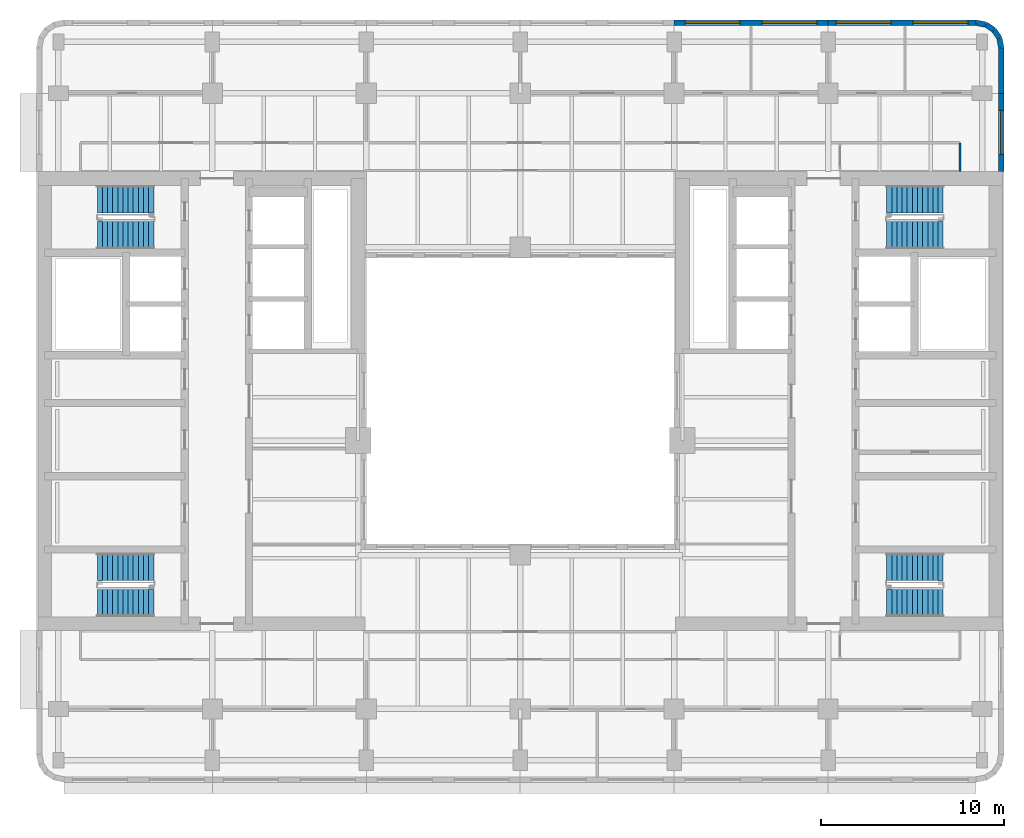
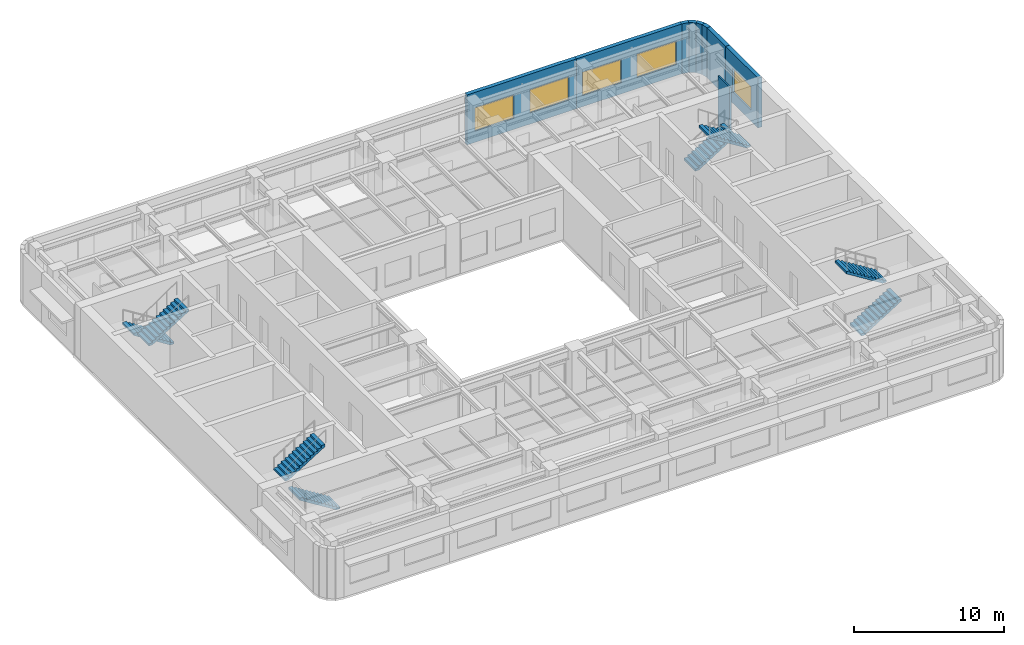
# One storey, part 8 of 11: 9 walls, 8 stair flights, 5 windows, 5 openings, 4 elements without a shape of their own.
"""IFC4 building model written with IfcOpenShell, lengths in metres."""

from ifc_helpers import new_model, si_unit, direction, frame, frame_2d, origin, place, context, subcontext, project, spatial, polyline, rectangle, outline, extrude, material, layer, layer_set, type_object, element, fill, aggregate, save


model = new_model("IFC4")

# Units and contexts
model_context = context("Model", 3, precision=1e-05, world=origin(), true_north=direction((0.0, 1.0)))
body_context = subcontext(model_context, "Body", "Model", "MODEL_VIEW")
ifc_project = project(units=[si_unit("LENGTHUNIT", "METRE"), si_unit("AREAUNIT", "SQUARE_METRE"), si_unit("VOLUMEUNIT", "CUBIC_METRE"), si_unit("PLANEANGLEUNIT", "RADIAN"), si_unit("MASSUNIT", "GRAM", prefix="KILO")], contexts=[model_context])

# Site, building, storey
site_placement = place(None, origin())
site = spatial("IfcSite", under=ifc_project, at=site_placement, CompositionType="ELEMENT")
building_placement = place(site_placement, origin())
building = spatial("IfcBuilding", under=site, at=building_placement, Name="Claustro Exchange Tower", CompositionType="ELEMENT")
storey_placement = place(building_placement, frame((0.0, 0.0, 236.39990234375)))
storey = spatial("IfcBuildingStorey", under=building, at=storey_placement, Name="L54", CompositionType="ELEMENT", Elevation=236.39990234375)

# Wall
ifc_material_1 = material(Name="Laminated glass in aluminium frame", Category="aluminium")
ifc_layer_1 = layer(ifc_material_1, 0.1201171875)
ifc_layer_set_1 = layer_set([ifc_layer_1], Name="Laminated glass in aluminium frame")
wall_type_1 = type_object("IfcWallType", Name="P2 120 glazed partition", PredefinedType="PARTITIONING", material=ifc_layer_set_1)
wall_1_placement = place(storey_placement, frame((49.199951171875, 37.72412109375, 0.0), z_axis=(0.0, 0.0, 1.0), x_axis=(0.0, 1.0, 0.0)))
element("IfcWall", 1, at=wall_1_placement, inside=storey, type_object=wall_type_1, Name="Partition P2 L54", PredefinedType="PARTITIONING", context=body_context, shape_type="SweptSolid", body=[
    extrude(rectangle(XDim=1.575927734375, YDim=0.1201171875, at=frame_2d((0.7880859375, 0.0))), origin(), (0.0, 0.0, 1.0), 4.050048828125),
])

# Wall, openings, windows
ifc_material_2 = material(Name="Concrete HA-40 (C40/50), precast, white cement, acid-etched", Category="concrete")
ifc_layer_2 = layer(ifc_material_2, 0.300048828125)
ifc_layer_set_2 = layer_set([ifc_layer_2], Name="Concrete HA-40 (C40/50), precast, white cement, acid-etched")
wall_type_2 = type_object("IfcWallType", Name="PC1 300 precast concrete pier panel", PredefinedType="SOLIDWALL", material=ifc_layer_set_2)
wall_2_placement = place(storey_placement, frame((33.60009765625, 45.85009765625, 0.0), z_axis=(0.0, 0.0, 1.0), x_axis=(1.0, 0.0, 0.0)))
wall_2 = element("IfcWall", 2, at=wall_2_placement, inside=storey, type_object=wall_type_2, Name="Precast pier panel PC1 L54", PredefinedType="SOLIDWALL", context=body_context, shape_type="SweptSolid", body=[
    extrude(rectangle(XDim=8.39990234375, YDim=0.300048828125, at=frame_2d((4.199951171875, 0.0))), origin(), (0.0, 0.0, 1.0), 4.050048828125),
])
opening_1_placement = place(wall_2_placement, frame((0.60009765625, 0.0, 0.89990234375)))
opening_1 = element("IfcOpeningElement", 3, at=opening_1_placement, cuts=wall_2, Name="Opening W1", PredefinedType="OPENING", context=body_context, shape_type="SweptSolid", body=[
    extrude(rectangle(XDim=3.0, YDim=1.89990234375, at=frame_2d((1.5, 0.949951171875))), frame((0.0, 0.159912109375, 0.0), z_axis=(0.0, -1.0, 0.0), x_axis=(1.0, 0.0, 0.0)), (0.0, 0.0, 1.0), 0.320068359375),
])
opening_2_placement = place(wall_2_placement, frame((4.800048828125, 0.0, 0.89990234375)))
opening_2 = element("IfcOpeningElement", 4, at=opening_2_placement, cuts=wall_2, Name="Opening W1", PredefinedType="OPENING", context=body_context, shape_type="SweptSolid", body=[
    extrude(rectangle(XDim=3.0, YDim=1.89990234375, at=frame_2d((1.5, 0.949951171875))), frame((0.0, 0.159912109375, 0.0), z_axis=(0.0, -1.0, 0.0), x_axis=(1.0, 0.0, 0.0)), (0.0, 0.0, 1.0), 0.320068359375),
])
ifc_material_3 = material(Name="Aluminium frame, clear double glazing", Category="aluminium")
window_type_1 = type_object("IfcWindowType", Name="W1 3000 x 1900 window", PartitioningType="SINGLE_PANEL", PredefinedType="WINDOW", material=ifc_material_3)
window_1_placement = place(opening_1_placement, origin())
window_1 = element("IfcWindow", 5, at=window_1_placement, inside=storey, type_object=window_type_1, Name="Window W1 L54", OverallHeight=1.89990234375, OverallWidth=3.0, PartitioningType="SINGLE_PANEL", PredefinedType="WINDOW", context=body_context, shape_type="SweptSolid", body=[
    extrude(rectangle(XDim=3.0, YDim=1.89990234375, at=frame_2d((1.5, 0.949951171875))), frame((0.0, 0.030029296875, 0.0), z_axis=(0.0, -1.0, 0.0), x_axis=(1.0, 0.0, 0.0)), (0.0, 0.0, 1.0), 0.06005859375),
])
fill(opening_1, window_1)
window_2_placement = place(opening_2_placement, origin())
window_2 = element("IfcWindow", 6, at=window_2_placement, inside=storey, type_object=window_type_1, Name="Window W1 L54", OverallHeight=1.89990234375, OverallWidth=3.0, PartitioningType="SINGLE_PANEL", PredefinedType="WINDOW", context=body_context, shape_type="SweptSolid", body=[
    extrude(rectangle(XDim=3.0, YDim=1.89990234375, at=frame_2d((1.5, 0.949951171875))), frame((0.0, 0.030029296875, 0.0), z_axis=(0.0, -1.0, 0.0), x_axis=(1.0, 0.0, 0.0)), (0.0, 0.0, 1.0), 0.06005859375),
])
fill(opening_2, window_2)

wall_3_placement = place(storey_placement, frame((42.0, 45.85009765625, 0.0), z_axis=(0.0, 0.0, 1.0), x_axis=(1.0, 0.0, 0.0)))
wall_3 = element("IfcWall", 7, at=wall_3_placement, inside=storey, type_object=wall_type_2, Name="Precast pier panel PC1 L54", PredefinedType="SOLIDWALL", context=body_context, shape_type="SweptSolid", body=[
    extrude(rectangle(XDim=8.085205078125, YDim=0.300048828125, at=frame_2d((4.04248046875, 0.0))), origin(), (0.0, 0.0, 1.0), 4.050048828125),
])
opening_3_placement = place(wall_3_placement, frame((0.442626953125, 0.0, 0.89990234375)))
opening_3 = element("IfcOpeningElement", 8, at=opening_3_placement, cuts=wall_3, Name="Opening W1", PredefinedType="OPENING", context=body_context, shape_type="SweptSolid", body=[
    extrude(rectangle(XDim=3.0, YDim=1.89990234375, at=frame_2d((1.5, 0.949951171875))), frame((0.0, 0.159912109375, 0.0), z_axis=(0.0, -1.0, 0.0), x_axis=(1.0, 0.0, 0.0)), (0.0, 0.0, 1.0), 0.320068359375),
])
opening_4_placement = place(wall_3_placement, frame((4.642578125, 0.0, 0.89990234375)))
opening_4 = element("IfcOpeningElement", 9, at=opening_4_placement, cuts=wall_3, Name="Opening W1", PredefinedType="OPENING", context=body_context, shape_type="SweptSolid", body=[
    extrude(rectangle(XDim=3.0, YDim=1.89990234375, at=frame_2d((1.5, 0.949951171875))), frame((0.0, 0.159912109375, 0.0), z_axis=(0.0, -1.0, 0.0), x_axis=(1.0, 0.0, 0.0)), (0.0, 0.0, 1.0), 0.320068359375),
])
window_3_placement = place(opening_3_placement, origin())
window_3 = element("IfcWindow", 10, at=window_3_placement, inside=storey, type_object=window_type_1, Name="Window W1 L54", OverallHeight=1.89990234375, OverallWidth=3.0, PartitioningType="SINGLE_PANEL", PredefinedType="WINDOW", context=body_context, shape_type="SweptSolid", body=[
    extrude(rectangle(XDim=3.0, YDim=1.89990234375, at=frame_2d((1.5, 0.949951171875))), frame((0.0, 0.030029296875, 0.0), z_axis=(0.0, -1.0, 0.0), x_axis=(1.0, 0.0, 0.0)), (0.0, 0.0, 1.0), 0.06005859375),
])
fill(opening_3, window_3)
window_4_placement = place(opening_4_placement, origin())
window_4 = element("IfcWindow", 11, at=window_4_placement, inside=storey, type_object=window_type_1, Name="Window W1 L54", OverallHeight=1.89990234375, OverallWidth=3.0, PartitioningType="SINGLE_PANEL", PredefinedType="WINDOW", context=body_context, shape_type="SweptSolid", body=[
    extrude(rectangle(XDim=3.0, YDim=1.89990234375, at=frame_2d((1.5, 0.949951171875))), frame((0.0, 0.030029296875, 0.0), z_axis=(0.0, -1.0, 0.0), x_axis=(1.0, 0.0, 0.0)), (0.0, 0.0, 1.0), 0.06005859375),
])
fill(opening_4, window_4)

# Walls
wall_4_placement = place(storey_placement, frame((50.085205078125, 45.85009765625, 0.0), z_axis=(0.0, 0.0, 1.0), x_axis=(0.980702050465, -0.1955082817, 0.0)))
element("IfcWall", 12, at=wall_4_placement, inside=storey, type_object=wall_type_2, Name="Precast pier panel PC1 L54", PredefinedType="SOLIDWALL", context=body_context, shape_type="SweptSolid", body=[
    extrude(rectangle(XDim=0.540771484375, YDim=0.300048828125, at=frame_2d((0.2705078125, 0.0))), origin(), (0.0, 0.0, 1.0), 4.050048828125),
])
wall_5_placement = place(storey_placement, frame((50.615478515625, 45.744384765625, 0.0), z_axis=(0.0, 0.0, 1.0), x_axis=(0.831692711774, -0.555236195849, 0.0)))
element("IfcWall", 13, at=wall_5_placement, inside=storey, type_object=wall_type_2, Name="Precast pier panel PC1 L54", PredefinedType="SOLIDWALL", context=body_context, shape_type="SweptSolid", body=[
    extrude(rectangle(XDim=0.525390625, YDim=0.300048828125, at=frame_2d((0.2626953125, 0.0))), origin(), (0.0, 0.0, 1.0), 4.050048828125),
])
wall_6_placement = place(storey_placement, frame((51.052490234375, 45.45263671875, 0.0), z_axis=(0.0, 0.0, 1.0), x_axis=(0.55534295404, -0.831621430339, 0.0)))
element("IfcWall", 14, at=wall_6_placement, inside=storey, type_object=wall_type_2, Name="Precast pier panel PC1 L54", PredefinedType="SOLIDWALL", context=body_context, shape_type="SweptSolid", body=[
    extrude(rectangle(XDim=0.52587890625, YDim=0.300048828125, at=frame_2d((0.262939453125, 0.0))), origin(), (0.0, 0.0, 1.0), 4.050048828125),
])
wall_7_placement = place(storey_placement, frame((51.344482421875, 45.015380859375, 0.0), z_axis=(0.0, 0.0, 1.0), x_axis=(0.195073962632, -0.980788534345, 0.0)))
element("IfcWall", 15, at=wall_7_placement, inside=storey, type_object=wall_type_2, Name="Precast pier panel PC1 L54", PredefinedType="SOLIDWALL", context=body_context, shape_type="SweptSolid", body=[
    extrude(rectangle(XDim=0.540771484375, YDim=0.300048828125, at=frame_2d((0.2705078125, 0.0))), origin(), (0.0, 0.0, 1.0), 4.050048828125),
])
wall_8_placement = place(storey_placement, frame((51.449951171875, 44.485107421875, 0.0), z_axis=(0.0, 0.0, 1.0), x_axis=(0.0, -1.0, 0.0)))
element("IfcWall", 16, at=wall_8_placement, inside=storey, type_object=wall_type_2, Name="Precast pier panel PC1 L54", PredefinedType="SOLIDWALL", context=body_context, shape_type="SweptSolid", body=[
    extrude(rectangle(XDim=2.485107421875, YDim=0.300048828125, at=frame_2d((1.24267578125, 0.0))), origin(), (0.0, 0.0, 1.0), 4.050048828125),
])

# Wall, opening, window
wall_9_placement = place(storey_placement, frame((51.449951171875, 42.0, 0.0), z_axis=(0.0, 0.0, 1.0), x_axis=(0.0, -1.0, 0.0)))
wall_9 = element("IfcWall", 17, at=wall_9_placement, inside=storey, type_object=wall_type_2, Name="Precast pier panel PC1 L54", PredefinedType="SOLIDWALL", context=body_context, shape_type="SweptSolid", body=[
    extrude(rectangle(XDim=4.27490234375, YDim=0.300048828125, at=frame_2d((2.137451171875, 0.0))), origin(), (0.0, 0.0, 1.0), 4.050048828125),
])
opening_5_placement = place(wall_9_placement, frame((0.9375, 0.0, 0.89990234375)))
opening_5 = element("IfcOpeningElement", 18, at=opening_5_placement, cuts=wall_9, Name="Opening W2", PredefinedType="OPENING", context=body_context, shape_type="SweptSolid", body=[
    extrude(rectangle(XDim=2.39990234375, YDim=1.89990234375, at=frame_2d((1.199951171875, 0.949951171875))), frame((0.0, 0.159912109375, 0.0), z_axis=(0.0, -1.0, 0.0), x_axis=(1.0, 0.0, 0.0)), (0.0, 0.0, 1.0), 0.320068359375),
])
ifc_material_4 = material(Name="Aluminium frame, clear double glazing", Category="aluminium")
window_type_2 = type_object("IfcWindowType", Name="W2 2400 x 1900 window", PartitioningType="SINGLE_PANEL", PredefinedType="WINDOW", material=ifc_material_4)
window_5_placement = place(opening_5_placement, origin())
window_5 = element("IfcWindow", 19, at=window_5_placement, inside=storey, type_object=window_type_2, Name="Window W2 L54", OverallHeight=1.89990234375, OverallWidth=2.39990234375, PartitioningType="SINGLE_PANEL", PredefinedType="WINDOW", context=body_context, shape_type="SweptSolid", body=[
    extrude(rectangle(XDim=2.39990234375, YDim=1.89990234375, at=frame_2d((1.199951171875, 0.949951171875))), frame((0.0, 0.030029296875, 0.0), z_axis=(0.0, -1.0, 0.0), x_axis=(1.0, 0.0, 0.0)), (0.0, 0.0, 1.0), 0.06005859375),
])
fill(opening_5, window_5)

# Stair, stair flights
ifc_material_5 = material(Name="Concrete HA-30 (C30/37), precast", Category="concrete")
stair_type = type_object("IfcStairType", Name="ST1 half-turn stair, 24 risers of 175", PredefinedType="HALF_TURN_STAIR", material=ifc_material_5)
stair_1_placement = place(storey_placement, origin())
stair_1 = element("IfcStair", 20, at=stair_1_placement, inside=storey, type_object=stair_type, Name="Stair STWA L54", PredefinedType="HALF_TURN_STAIR")
ifc_material_6 = material(Name="Concrete HA-30 (C30/37), precast", Category="concrete")
stair_flight_type = type_object("IfcStairFlightType", Name="SF12A straight flight, 12 risers of 175, 1500 wide", PredefinedType="STRAIGHT", material=ifc_material_6)
stair_flight_1_placement = place(storey_placement, frame((5.199951171875, 14.175048828125, 0.0), z_axis=(0.0, 0.0, 1.0), x_axis=(-1.0, 0.0, 0.0)))
stair_flight_1 = element("IfcStairFlight", 21, at=stair_flight_1_placement, type_object=stair_flight_type, Name="STWA flight 1", NumberOfRisers=12, NumberOfTreads=11, PredefinedType="STRAIGHT", RiserHeight=0.175, TreadLength=0.28, context=body_context, shape_type="SweptSolid", body=[
    extrude(outline(polyline([(0.0, 0.0), (0.0, 0.175048828125), (0.280029296875, 0.175048828125), (0.280029296875, 0.35009765625), (0.56005859375, 0.35009765625), (0.56005859375, 0.52490234375), (0.840087890625, 0.52490234375), (0.840087890625, 0.699951171875), (1.1201171875, 0.699951171875), (1.1201171875, 0.875), (1.39990234375, 0.875), (1.39990234375, 1.050048828125), (1.679931640625, 1.050048828125), (1.679931640625, 1.22509765625), (1.9599609375, 1.22509765625), (1.9599609375, 1.39990234375), (2.239990234375, 1.39990234375), (2.239990234375, 1.574951171875), (2.52001953125, 1.574951171875), (2.52001953125, 1.75), (2.800048828125, 1.75), (2.800048828125, 1.925048828125), (3.080078125, 1.925048828125), (3.080078125, 2.10009765625), (3.080078125, 1.748291015625), (0.28271484375, 0.0), (0.0, 0.0)])), frame((0.0, 0.75, 0.0), z_axis=(0.0, -1.0, 0.0), x_axis=(1.0, 0.0, 0.0)), (0.0, 0.0, 1.0), 1.5),
])
stair_flight_2_placement = place(storey_placement, frame((2.1201171875, 16.14990234375, 2.10009765625), z_axis=(0.0, 0.0, 1.0), x_axis=(1.0, 0.0, 0.0)))
stair_flight_2 = element("IfcStairFlight", 22, at=stair_flight_2_placement, type_object=stair_flight_type, Name="STWA flight 2", NumberOfRisers=12, NumberOfTreads=11, PredefinedType="STRAIGHT", RiserHeight=0.175, TreadLength=0.28, context=body_context, shape_type="SweptSolid", body=[
    extrude(outline(polyline([(0.0, 0.0), (0.0, 0.175048828125), (0.280029296875, 0.175048828125), (0.280029296875, 0.35009765625), (0.56005859375, 0.35009765625), (0.56005859375, 0.52490234375), (0.840087890625, 0.52490234375), (0.840087890625, 0.699951171875), (1.1201171875, 0.699951171875), (1.1201171875, 0.875), (1.39990234375, 0.875), (1.39990234375, 1.050048828125), (1.679931640625, 1.050048828125), (1.679931640625, 1.22509765625), (1.9599609375, 1.22509765625), (1.9599609375, 1.39990234375), (2.239990234375, 1.39990234375), (2.239990234375, 1.574951171875), (2.52001953125, 1.574951171875), (2.52001953125, 1.75), (2.800048828125, 1.75), (2.800048828125, 1.925048828125), (3.080078125, 1.925048828125), (3.080078125, 2.10009765625), (3.080078125, 1.748291015625), (0.28271484375, 0.0), (0.0, 0.0)])), frame((0.0, 0.75, 0.0), z_axis=(0.0, -1.0, 0.0), x_axis=(1.0, 0.0, 0.0)), (0.0, 0.0, 1.0), 1.5),
])
aggregate(stair_1, [stair_flight_1, stair_flight_2])

stair_2_placement = place(storey_placement, origin())
stair_2 = element("IfcStair", 23, at=stair_2_placement, inside=storey, type_object=stair_type, Name="Stair STWB L54", PredefinedType="HALF_TURN_STAIR")
stair_flight_3_placement = place(storey_placement, frame((5.199951171875, 36.22509765625, 0.0), z_axis=(0.0, 0.0, 1.0), x_axis=(-1.0, 0.0, 0.0)))
stair_flight_3 = element("IfcStairFlight", 24, at=stair_flight_3_placement, type_object=stair_flight_type, Name="STWB flight 1", NumberOfRisers=12, NumberOfTreads=11, PredefinedType="STRAIGHT", RiserHeight=0.175, TreadLength=0.28, context=body_context, shape_type="SweptSolid", body=[
    extrude(outline(polyline([(0.0, 0.0), (0.0, 0.175048828125), (0.280029296875, 0.175048828125), (0.280029296875, 0.35009765625), (0.56005859375, 0.35009765625), (0.56005859375, 0.52490234375), (0.840087890625, 0.52490234375), (0.840087890625, 0.699951171875), (1.1201171875, 0.699951171875), (1.1201171875, 0.875), (1.39990234375, 0.875), (1.39990234375, 1.050048828125), (1.679931640625, 1.050048828125), (1.679931640625, 1.22509765625), (1.9599609375, 1.22509765625), (1.9599609375, 1.39990234375), (2.239990234375, 1.39990234375), (2.239990234375, 1.574951171875), (2.52001953125, 1.574951171875), (2.52001953125, 1.75), (2.800048828125, 1.75), (2.800048828125, 1.925048828125), (3.080078125, 1.925048828125), (3.080078125, 2.10009765625), (3.080078125, 1.748291015625), (0.28271484375, 0.0), (0.0, 0.0)])), frame((0.0, 0.75, 0.0), z_axis=(0.0, -1.0, 0.0), x_axis=(1.0, 0.0, 0.0)), (0.0, 0.0, 1.0), 1.5),
])
stair_flight_4_placement = place(storey_placement, frame((2.1201171875, 34.25, 2.10009765625), z_axis=(0.0, 0.0, 1.0), x_axis=(1.0, 0.0, 0.0)))
stair_flight_4 = element("IfcStairFlight", 25, at=stair_flight_4_placement, type_object=stair_flight_type, Name="STWB flight 2", NumberOfRisers=12, NumberOfTreads=11, PredefinedType="STRAIGHT", RiserHeight=0.175, TreadLength=0.28, context=body_context, shape_type="SweptSolid", body=[
    extrude(outline(polyline([(0.0, 0.0), (0.0, 0.175048828125), (0.280029296875, 0.175048828125), (0.280029296875, 0.35009765625), (0.56005859375, 0.35009765625), (0.56005859375, 0.52490234375), (0.840087890625, 0.52490234375), (0.840087890625, 0.699951171875), (1.1201171875, 0.699951171875), (1.1201171875, 0.875), (1.39990234375, 0.875), (1.39990234375, 1.050048828125), (1.679931640625, 1.050048828125), (1.679931640625, 1.22509765625), (1.9599609375, 1.22509765625), (1.9599609375, 1.39990234375), (2.239990234375, 1.39990234375), (2.239990234375, 1.574951171875), (2.52001953125, 1.574951171875), (2.52001953125, 1.75), (2.800048828125, 1.75), (2.800048828125, 1.925048828125), (3.080078125, 1.925048828125), (3.080078125, 2.10009765625), (3.080078125, 1.748291015625), (0.28271484375, 0.0), (0.0, 0.0)])), frame((0.0, 0.75, 0.0), z_axis=(0.0, -1.0, 0.0), x_axis=(1.0, 0.0, 0.0)), (0.0, 0.0, 1.0), 1.5),
])
aggregate(stair_2, [stair_flight_3, stair_flight_4])

stair_3_placement = place(storey_placement, origin())
stair_3 = element("IfcStair", 26, at=stair_3_placement, inside=storey, type_object=stair_type, Name="Stair STEA L54", PredefinedType="HALF_TURN_STAIR")
stair_flight_5_placement = place(storey_placement, frame((45.199951171875, 14.175048828125, 0.0), z_axis=(0.0, 0.0, 1.0), x_axis=(1.0, 0.0, 0.0)))
stair_flight_5 = element("IfcStairFlight", 27, at=stair_flight_5_placement, type_object=stair_flight_type, Name="STEA flight 1", NumberOfRisers=12, NumberOfTreads=11, PredefinedType="STRAIGHT", RiserHeight=0.175, TreadLength=0.28, context=body_context, shape_type="SweptSolid", body=[
    extrude(outline(polyline([(0.0, 0.0), (0.0, 0.175048828125), (0.280029296875, 0.175048828125), (0.280029296875, 0.35009765625), (0.56005859375, 0.35009765625), (0.56005859375, 0.52490234375), (0.840087890625, 0.52490234375), (0.840087890625, 0.699951171875), (1.1201171875, 0.699951171875), (1.1201171875, 0.875), (1.39990234375, 0.875), (1.39990234375, 1.050048828125), (1.679931640625, 1.050048828125), (1.679931640625, 1.22509765625), (1.9599609375, 1.22509765625), (1.9599609375, 1.39990234375), (2.239990234375, 1.39990234375), (2.239990234375, 1.574951171875), (2.52001953125, 1.574951171875), (2.52001953125, 1.75), (2.800048828125, 1.75), (2.800048828125, 1.925048828125), (3.080078125, 1.925048828125), (3.080078125, 2.10009765625), (3.080078125, 1.748291015625), (0.28271484375, 0.0), (0.0, 0.0)])), frame((0.0, 0.75, 0.0), z_axis=(0.0, -1.0, 0.0), x_axis=(1.0, 0.0, 0.0)), (0.0, 0.0, 1.0), 1.5),
])
stair_flight_6_placement = place(storey_placement, frame((48.280029296875, 16.14990234375, 2.10009765625), z_axis=(0.0, 0.0, 1.0), x_axis=(-1.0, 0.0, 0.0)))
stair_flight_6 = element("IfcStairFlight", 28, at=stair_flight_6_placement, type_object=stair_flight_type, Name="STEA flight 2", NumberOfRisers=12, NumberOfTreads=11, PredefinedType="STRAIGHT", RiserHeight=0.175, TreadLength=0.28, context=body_context, shape_type="SweptSolid", body=[
    extrude(outline(polyline([(0.0, 0.0), (0.0, 0.175048828125), (0.280029296875, 0.175048828125), (0.280029296875, 0.35009765625), (0.56005859375, 0.35009765625), (0.56005859375, 0.52490234375), (0.840087890625, 0.52490234375), (0.840087890625, 0.699951171875), (1.1201171875, 0.699951171875), (1.1201171875, 0.875), (1.39990234375, 0.875), (1.39990234375, 1.050048828125), (1.679931640625, 1.050048828125), (1.679931640625, 1.22509765625), (1.9599609375, 1.22509765625), (1.9599609375, 1.39990234375), (2.239990234375, 1.39990234375), (2.239990234375, 1.574951171875), (2.52001953125, 1.574951171875), (2.52001953125, 1.75), (2.800048828125, 1.75), (2.800048828125, 1.925048828125), (3.080078125, 1.925048828125), (3.080078125, 2.10009765625), (3.080078125, 1.748291015625), (0.28271484375, 0.0), (0.0, 0.0)])), frame((0.0, 0.75, 0.0), z_axis=(0.0, -1.0, 0.0), x_axis=(1.0, 0.0, 0.0)), (0.0, 0.0, 1.0), 1.5),
])
aggregate(stair_3, [stair_flight_5, stair_flight_6])

stair_4_placement = place(storey_placement, origin())
stair_4 = element("IfcStair", 29, at=stair_4_placement, inside=storey, type_object=stair_type, Name="Stair STEB L54", PredefinedType="HALF_TURN_STAIR")
stair_flight_7_placement = place(storey_placement, frame((45.199951171875, 36.22509765625, 0.0), z_axis=(0.0, 0.0, 1.0), x_axis=(1.0, 0.0, 0.0)))
stair_flight_7 = element("IfcStairFlight", 30, at=stair_flight_7_placement, type_object=stair_flight_type, Name="STEB flight 1", NumberOfRisers=12, NumberOfTreads=11, PredefinedType="STRAIGHT", RiserHeight=0.175, TreadLength=0.28, context=body_context, shape_type="SweptSolid", body=[
    extrude(outline(polyline([(0.0, 0.0), (0.0, 0.175048828125), (0.280029296875, 0.175048828125), (0.280029296875, 0.35009765625), (0.56005859375, 0.35009765625), (0.56005859375, 0.52490234375), (0.840087890625, 0.52490234375), (0.840087890625, 0.699951171875), (1.1201171875, 0.699951171875), (1.1201171875, 0.875), (1.39990234375, 0.875), (1.39990234375, 1.050048828125), (1.679931640625, 1.050048828125), (1.679931640625, 1.22509765625), (1.9599609375, 1.22509765625), (1.9599609375, 1.39990234375), (2.239990234375, 1.39990234375), (2.239990234375, 1.574951171875), (2.52001953125, 1.574951171875), (2.52001953125, 1.75), (2.800048828125, 1.75), (2.800048828125, 1.925048828125), (3.080078125, 1.925048828125), (3.080078125, 2.10009765625), (3.080078125, 1.748291015625), (0.28271484375, 0.0), (0.0, 0.0)])), frame((0.0, 0.75, 0.0), z_axis=(0.0, -1.0, 0.0), x_axis=(1.0, 0.0, 0.0)), (0.0, 0.0, 1.0), 1.5),
])
stair_flight_8_placement = place(storey_placement, frame((48.280029296875, 34.25, 2.10009765625), z_axis=(0.0, 0.0, 1.0), x_axis=(-1.0, 0.0, 0.0)))
stair_flight_8 = element("IfcStairFlight", 31, at=stair_flight_8_placement, type_object=stair_flight_type, Name="STEB flight 2", NumberOfRisers=12, NumberOfTreads=11, PredefinedType="STRAIGHT", RiserHeight=0.175, TreadLength=0.28, context=body_context, shape_type="SweptSolid", body=[
    extrude(outline(polyline([(0.0, 0.0), (0.0, 0.175048828125), (0.280029296875, 0.175048828125), (0.280029296875, 0.35009765625), (0.56005859375, 0.35009765625), (0.56005859375, 0.52490234375), (0.840087890625, 0.52490234375), (0.840087890625, 0.699951171875), (1.1201171875, 0.699951171875), (1.1201171875, 0.875), (1.39990234375, 0.875), (1.39990234375, 1.050048828125), (1.679931640625, 1.050048828125), (1.679931640625, 1.22509765625), (1.9599609375, 1.22509765625), (1.9599609375, 1.39990234375), (2.239990234375, 1.39990234375), (2.239990234375, 1.574951171875), (2.52001953125, 1.574951171875), (2.52001953125, 1.75), (2.800048828125, 1.75), (2.800048828125, 1.925048828125), (3.080078125, 1.925048828125), (3.080078125, 2.10009765625), (3.080078125, 1.748291015625), (0.28271484375, 0.0), (0.0, 0.0)])), frame((0.0, 0.75, 0.0), z_axis=(0.0, -1.0, 0.0), x_axis=(1.0, 0.0, 0.0)), (0.0, 0.0, 1.0), 1.5),
])
aggregate(stair_4, [stair_flight_7, stair_flight_8])

save(model, "model.ifc")
